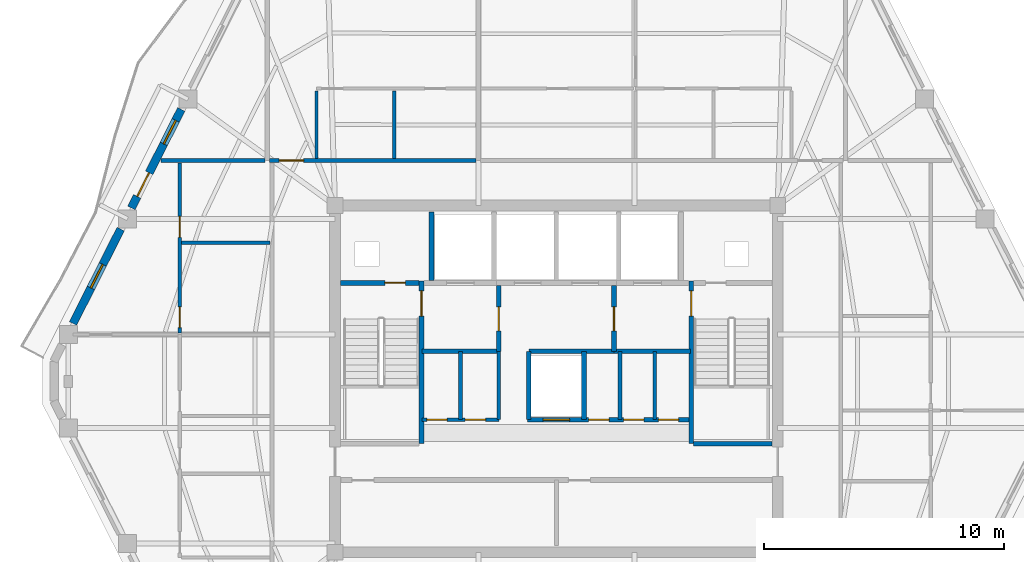
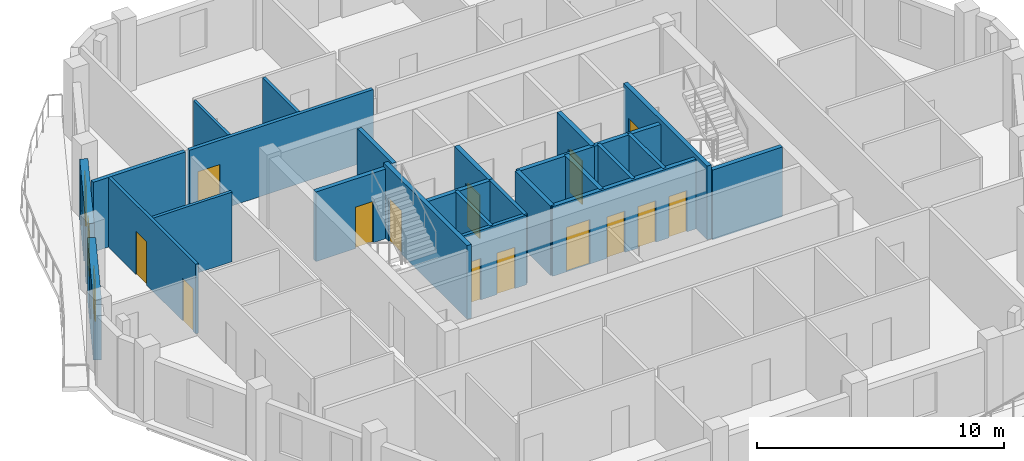
# One storey, part 5 of 11: 26 walls, 15 doors, 2 windows, 17 openings.
"""IFC4 building model written with IfcOpenShell, lengths in metres."""

from ifc_helpers import new_model, si_unit, direction, frame, frame_2d, origin, place, context, subcontext, project, spatial, rectangle, extrude, material, layer, layer_set, type_object, element, fill, save


model = new_model("IFC4")

# Units and contexts
model_context = context("Model", 3, precision=1e-05, world=origin(), true_north=direction((0.0, 1.0)))
body_context = subcontext(model_context, "Body", "Model", "MODEL_VIEW")
ifc_project = project(units=[si_unit("LENGTHUNIT", "METRE"), si_unit("AREAUNIT", "SQUARE_METRE"), si_unit("VOLUMEUNIT", "CUBIC_METRE"), si_unit("PLANEANGLEUNIT", "RADIAN"), si_unit("MASSUNIT", "GRAM", prefix="KILO")], contexts=[model_context])

# Site, building, storey
site_placement = place(None, origin())
site = spatial("IfcSite", under=ifc_project, at=site_placement, CompositionType="ELEMENT")
building_placement = place(site_placement, origin())
building = spatial("IfcBuilding", under=site, at=building_placement, Name="Cinnabar Lancet Tower", CompositionType="ELEMENT")
storey_placement = place(building_placement, frame((0.0, 0.0, 234.300048828125)))
storey = spatial("IfcBuildingStorey", under=building, at=storey_placement, Name="L62", CompositionType="ELEMENT", Elevation=234.300048828125)

# Wall, openings, doors
ifc_material_1 = material(Name="Acoustic twin-stud gypsum partition", Category="gypsum")
ifc_layer_1 = layer(ifc_material_1, 0.159912109375)
ifc_layer_set_1 = layer_set([ifc_layer_1], Name="Acoustic twin-stud gypsum partition")
wall_type_1 = type_object("IfcWallType", Name="ARC-WL-CORR-160", PredefinedType="PARTITIONING", material=ifc_layer_set_1)
wall_1_placement = place(storey_placement, frame((26.800048828125, 24.199951171875, 0.0), z_axis=(0.0, 0.0, 1.0), x_axis=(1.0, 0.0, 0.0)))
wall_1 = element("IfcWall", 1, at=wall_1_placement, inside=storey, type_object=wall_type_1, Name="CW-REC5S-L62", PredefinedType="PARTITIONING", context=body_context, shape_type="SweptSolid", body=[
    extrude(rectangle(XDim=3.199951171875, YDim=0.159912109375, at=frame_2d((1.60009765625, 0.0))), origin(), (0.0, 0.0, 1.0), 3.449951171875),
])
opening_1_placement = place(wall_1_placement, frame((0.199951171875, 0.0, 0.0)))
opening_1 = element("IfcOpeningElement", 2, at=opening_1_placement, cuts=wall_1, Name="Opening PD-02", PredefinedType="OPENING", context=body_context, shape_type="SweptSolid", body=[
    extrude(rectangle(XDim=0.85009765625, YDim=2.050048828125, at=frame_2d((0.425048828125, 1.02490234375))), frame((0.0, 0.08984375, 0.0), z_axis=(0.0, -1.0, 0.0), x_axis=(1.0, 0.0, 0.0)), (0.0, 0.0, 1.0), 0.179931640625),
])
opening_2_placement = place(wall_1_placement, frame((1.800048828125, 0.0, 0.0)))
opening_2 = element("IfcOpeningElement", 3, at=opening_2_placement, cuts=wall_1, Name="Opening PD-02", PredefinedType="OPENING", context=body_context, shape_type="SweptSolid", body=[
    extrude(rectangle(XDim=0.85009765625, YDim=2.050048828125, at=frame_2d((0.425048828125, 1.02490234375))), frame((0.0, 0.08984375, 0.0), z_axis=(0.0, -1.0, 0.0), x_axis=(1.0, 0.0, 0.0)), (0.0, 0.0, 1.0), 0.179931640625),
])
ifc_material_2 = material(Name="Fire-rated steel riser access door", Category="steel")
door_type_1 = type_object("IfcDoorType", Name="ARC-DR-RISER", OperationType="NOTDEFINED", PredefinedType="DOOR", material=ifc_material_2)
door_1_placement = place(opening_1_placement, origin())
door_1 = element("IfcDoor", 4, at=door_1_placement, inside=storey, type_object=door_type_1, Name="DR-L62-REC5A", OperationType="SINGLE_SWING_LEFT", OverallHeight=2.050048828125, OverallWidth=0.85009765625, PredefinedType="DOOR", context=body_context, shape_type="SweptSolid", body=[
    extrude(rectangle(XDim=0.85009765625, YDim=2.050048828125, at=frame_2d((0.425048828125, 1.02490234375))), frame((0.0, 0.02490234375, 0.0), z_axis=(0.0, -1.0, 0.0), x_axis=(1.0, 0.0, 0.0)), (0.0, 0.0, 1.0), 0.050048828125),
])
fill(opening_1, door_1)
door_2_placement = place(opening_2_placement, origin())
door_2 = element("IfcDoor", 5, at=door_2_placement, inside=storey, type_object=door_type_1, Name="DR-L62-REC5B", OperationType="SINGLE_SWING_RIGHT", OverallHeight=2.050048828125, OverallWidth=0.85009765625, PredefinedType="DOOR", context=body_context, shape_type="SweptSolid", body=[
    extrude(rectangle(XDim=0.85009765625, YDim=2.050048828125, at=frame_2d((0.425048828125, 1.02490234375))), frame((0.0, 0.02490234375, 0.0), z_axis=(0.0, -1.0, 0.0), x_axis=(1.0, 0.0, 0.0)), (0.0, 0.0, 1.0), 0.050048828125),
])
fill(opening_2, door_2)

# Walls
for number, where, z_axis, x_axis, name in (
    (6, (30.0, 24.199951171875, 0.0), (0.0, 0.0, 1.0), (0.0, 1.0, 0.0), "CW-REC5E-L62"),
    (7, (28.39990234375, 24.199951171875, 0.0), (0.0, 0.0, 1.0), (0.0, 1.0, 0.0), "CW-REC5D0-L62"),
    (8, (35.050048828125, 24.199951171875, 0.0), (0.0, 0.0, 1.0), (0.0, 1.0, 0.0), "CW-REC6D1-L62"),
    (9, (36.5, 24.199951171875, 0.0), (0.0, 0.0, 1.0), (0.0, 1.0, 0.0), "CW-REC6D2-L62"),
):
    element("IfcWall", number, at=place(storey_placement, frame(where, z_axis=z_axis, x_axis=x_axis)), inside=storey, type_object=wall_type_1, Name=name, PredefinedType="PARTITIONING", context=body_context, shape_type="SweptSolid", body=[
        extrude(rectangle(XDim=2.85009765625, YDim=0.159912109375, at=frame_2d((1.425048828125, 0.0))), origin(), (0.0, 0.0, 1.0), 3.449951171875),
    ])

# Wall, opening, door
wall_2_placement = place(storey_placement, frame((20.445068359375, 35.0, 0.0), z_axis=(0.0, 0.0, 1.0), x_axis=(1.0, 0.0, 0.0)))
wall_2 = element("IfcWall", 10, at=wall_2_placement, inside=storey, type_object=wall_type_1, Name="L62 Unit N01 Corridor Wall", PredefinedType="PARTITIONING", context=body_context, shape_type="SweptSolid", body=[
    extrude(rectangle(XDim=8.60595703125, YDim=0.159912109375, at=frame_2d((4.302978515625, 0.0))), origin(), (0.0, 0.0, 1.0), 3.449951171875),
])
opening_3_placement = place(wall_2_placement, frame((0.405029296875, 0.0, 0.0)))
opening_3 = element("IfcOpeningElement", 11, at=opening_3_placement, cuts=wall_2, Name="Opening UD-01", PredefinedType="OPENING", context=body_context, shape_type="SweptSolid", body=[
    extrude(rectangle(XDim=1.02001953125, YDim=2.25, at=frame_2d((0.510009765625, 1.125))), frame((0.0, 0.08984375, 0.0), z_axis=(0.0, -1.0, 0.0), x_axis=(1.0, 0.0, 0.0)), (0.0, 0.0, 1.0), 0.179931640625),
])
ifc_material_3 = material(Name="Solid timber fire-rated apartment entrance door", Category="wood")
door_type_2 = type_object("IfcDoorType", Name="ARC-DR-UNIT", OperationType="NOTDEFINED", PredefinedType="DOOR", material=ifc_material_3)
door_3_placement = place(opening_3_placement, origin())
door_3 = element("IfcDoor", 12, at=door_3_placement, inside=storey, type_object=door_type_2, Name="DR-L62-N01-ENT", OperationType="SINGLE_SWING_RIGHT", OverallHeight=2.25, OverallWidth=1.02001953125, PredefinedType="DOOR", context=body_context, shape_type="SweptSolid", body=[
    extrude(rectangle(XDim=1.02001953125, YDim=2.25, at=frame_2d((0.510009765625, 1.125))), frame((0.0, 0.02490234375, 0.0), z_axis=(0.0, -1.0, 0.0), x_axis=(1.0, 0.0, 0.0)), (0.0, 0.0, 1.0), 0.050048828125),
])
fill(opening_3, door_3)

# Walls
ifc_material_4 = material(Name="Fire-rated twin-frame acoustic drywall", Category="gypsum")
ifc_layer_2 = layer(ifc_material_4, 0.179931640625)
ifc_layer_set_2 = layer_set([ifc_layer_2], Name="Fire-rated twin-frame acoustic drywall")
wall_type_2 = type_object("IfcWallType", Name="ARC-WL-PARTY-180", PredefinedType="PARTITIONING", material=ifc_layer_set_2)
wall_3_placement = place(storey_placement, frame((15.93310546875, 35.0, 0.0), z_axis=(0.0, 0.0, 1.0), x_axis=(1.0, 0.0, 0.0)))
element("IfcWall", 13, at=wall_3_placement, inside=storey, type_object=wall_type_2, Name="PW-L62-WNB", PredefinedType="PARTITIONING", context=body_context, shape_type="SweptSolid", body=[
    extrude(rectangle(XDim=4.32177734375, YDim=0.179931640625, at=frame_2d((2.160888671875, 0.0))), origin(), (0.0, 0.0, 1.0), 3.449951171875),
])
ifc_material_5 = material(Name="Autoclaved aerated concrete blockwork", Category="masonry")
ifc_layer_3 = layer(ifc_material_5, 0.199951171875)
ifc_layer_set_3 = layer_set([ifc_layer_3], Name="Autoclaved aerated concrete blockwork")
wall_type_3 = type_object("IfcWallType", Name="ARC-WL-SHAFT-200", PredefinedType="PLUMBINGWALL", material=ifc_layer_set_3)
wall_4_placement = place(storey_placement, frame((38.125, 23.199951171875, 0.0), z_axis=(0.0, 0.0, 1.0), x_axis=(1.0, 0.0, 0.0)))
element("IfcWall", 14, at=wall_4_placement, inside=storey, type_object=wall_type_3, Name="CW-ST2S-L62", PredefinedType="PLUMBINGWALL", context=body_context, shape_type="SweptSolid", body=[
    extrude(rectangle(XDim=3.27001953125, YDim=0.199951171875, at=frame_2d((1.635009765625, 0.0))), origin(), (0.0, 0.0, 1.0), 3.449951171875),
])

# Wall, opening, door
wall_5_placement = place(storey_placement, frame((23.405029296875, 29.89990234375, 0.0), z_axis=(0.0, 0.0, 1.0), x_axis=(1.0, 0.0, 0.0)))
wall_5 = element("IfcWall", 15, at=wall_5_placement, inside=storey, type_object=wall_type_3, Name="CW-NSH-W-L62", PredefinedType="PLUMBINGWALL", context=body_context, shape_type="SweptSolid", body=[
    extrude(rectangle(XDim=3.27001953125, YDim=0.199951171875, at=frame_2d((1.635009765625, 0.0))), origin(), (0.0, 0.0, 1.0), 3.449951171875),
])
opening_4_placement = place(wall_5_placement, frame((1.85009765625, 0.0, 0.0)))
opening_4 = element("IfcOpeningElement", 16, at=opening_4_placement, cuts=wall_5, Name="Opening PD-02", PredefinedType="OPENING", context=body_context, shape_type="SweptSolid", body=[
    extrude(rectangle(XDim=0.85009765625, YDim=2.050048828125, at=frame_2d((0.425048828125, 1.02490234375))), frame((0.0, 0.10986328125, 0.0), z_axis=(0.0, -1.0, 0.0), x_axis=(1.0, 0.0, 0.0)), (0.0, 0.0, 1.0), 0.219970703125),
])
door_4_placement = place(opening_4_placement, origin())
door_4 = element("IfcDoor", 17, at=door_4_placement, inside=storey, type_object=door_type_1, Name="L62 West Riser Access Door", OperationType="SINGLE_SWING_LEFT", OverallHeight=2.050048828125, OverallWidth=0.85009765625, PredefinedType="DOOR", context=body_context, shape_type="SweptSolid", body=[
    extrude(rectangle(XDim=0.85009765625, YDim=2.050048828125, at=frame_2d((0.425048828125, 1.02490234375))), frame((0.0, 0.02490234375, 0.0), z_axis=(0.0, -1.0, 0.0), x_axis=(1.0, 0.0, 0.0)), (0.0, 0.0, 1.0), 0.050048828125),
])
fill(opening_4, door_4)

# Wall
wall_6_placement = place(storey_placement, frame((27.199951171875, 30.0, 0.0), z_axis=(0.0, 0.0, 1.0), x_axis=(0.0, 1.0, 0.0)))
element("IfcWall", 18, at=wall_6_placement, inside=storey, type_object=wall_type_3, Name="CW-NSH-D1-L62", PredefinedType="PLUMBINGWALL", context=body_context, shape_type="SweptSolid", body=[
    extrude(rectangle(XDim=2.85009765625, YDim=0.199951171875, at=frame_2d((1.425048828125, 0.0))), origin(), (0.0, 0.0, 1.0), 3.449951171875),
])

# Wall, opening, door
wall_7_placement = place(storey_placement, frame((30.0, 27.050048828125, 0.0), z_axis=(0.0, 0.0, 1.0), x_axis=(0.0, 1.0, 0.0)))
wall_7 = element("IfcWall", 19, at=wall_7_placement, inside=storey, type_object=wall_type_3, Name="CW-FF1E-L62", PredefinedType="PLUMBINGWALL", context=body_context, shape_type="SweptSolid", body=[
    extrude(rectangle(XDim=2.75, YDim=0.199951171875, at=frame_2d((1.375, 0.0))), origin(), (0.0, 0.0, 1.0), 3.449951171875),
])
opening_5_placement = place(wall_7_placement, frame((0.85009765625, 0.0, 0.0)))
opening_5 = element("IfcOpeningElement", 20, at=opening_5_placement, cuts=wall_7, Name="Opening FD-01", PredefinedType="OPENING", context=body_context, shape_type="SweptSolid", body=[
    extrude(rectangle(XDim=1.0, YDim=2.14990234375, at=frame_2d((0.5, 1.074951171875))), frame((0.0, 0.10986328125, 0.0), z_axis=(0.0, -1.0, 0.0), x_axis=(1.0, 0.0, 0.0)), (0.0, 0.0, 1.0), 0.219970703125),
])
ifc_material_6 = material(Name="Fire-rated timber-core lobby door", Category="wood")
door_type_3 = type_object("IfcDoorType", Name="ARC-DR-FFAL", OperationType="NOTDEFINED", PredefinedType="DOOR", material=ifc_material_6)
door_5_placement = place(opening_5_placement, origin())
door_5 = element("IfcDoor", 21, at=door_5_placement, inside=storey, type_object=door_type_3, Name="L62 FFAL-1 Lobby Fire Door", OperationType="SINGLE_SWING_RIGHT", OverallHeight=2.14990234375, OverallWidth=1.0, PredefinedType="DOOR", context=body_context, shape_type="SweptSolid", body=[
    extrude(rectangle(XDim=1.0, YDim=2.14990234375, at=frame_2d((0.5, 1.074951171875))), frame((0.0, 0.02490234375, 0.0), z_axis=(0.0, -1.0, 0.0), x_axis=(1.0, 0.0, 0.0)), (0.0, 0.0, 1.0), 0.050048828125),
])
fill(opening_5, door_5)

# Wall
wall_8_placement = place(storey_placement, frame((26.800048828125, 27.050048828125, 0.0), z_axis=(0.0, 0.0, 1.0), x_axis=(1.0, 0.0, 0.0)))
element("IfcWall", 22, at=wall_8_placement, inside=storey, type_object=wall_type_3, Name="CW-FF1S-L62", PredefinedType="PLUMBINGWALL", context=body_context, shape_type="SweptSolid", body=[
    extrude(rectangle(XDim=3.199951171875, YDim=0.199951171875, at=frame_2d((1.60009765625, 0.0))), origin(), (0.0, 0.0, 1.0), 3.449951171875),
])

# Wall, opening, door
wall_9_placement = place(storey_placement, frame((34.800048828125, 27.050048828125, 0.0), z_axis=(0.0, 0.0, 1.0), x_axis=(0.0, 1.0, 0.0)))
wall_9 = element("IfcWall", 23, at=wall_9_placement, inside=storey, type_object=wall_type_3, Name="CW-FF2W-L62", PredefinedType="PLUMBINGWALL", context=body_context, shape_type="SweptSolid", body=[
    extrude(rectangle(XDim=2.75, YDim=0.199951171875, at=frame_2d((1.375, 0.0))), origin(), (0.0, 0.0, 1.0), 3.449951171875),
])
opening_6_placement = place(wall_9_placement, frame((0.85009765625, 0.0, 0.0)))
opening_6 = element("IfcOpeningElement", 24, at=opening_6_placement, cuts=wall_9, Name="Opening FD-01", PredefinedType="OPENING", context=body_context, shape_type="SweptSolid", body=[
    extrude(rectangle(XDim=1.0, YDim=2.14990234375, at=frame_2d((0.5, 1.074951171875))), frame((0.0, 0.10986328125, 0.0), z_axis=(0.0, -1.0, 0.0), x_axis=(1.0, 0.0, 0.0)), (0.0, 0.0, 1.0), 0.219970703125),
])
door_6_placement = place(opening_6_placement, origin())
door_6 = element("IfcDoor", 25, at=door_6_placement, inside=storey, type_object=door_type_3, Name="L62 FFAL-2 Lobby Fire Door", OperationType="SINGLE_SWING_LEFT", OverallHeight=2.14990234375, OverallWidth=1.0, PredefinedType="DOOR", context=body_context, shape_type="SweptSolid", body=[
    extrude(rectangle(XDim=1.0, YDim=2.14990234375, at=frame_2d((0.5, 1.074951171875))), frame((0.0, 0.02490234375, 0.0), z_axis=(0.0, -1.0, 0.0), x_axis=(1.0, 0.0, 0.0)), (0.0, 0.0, 1.0), 0.050048828125),
])
fill(opening_6, door_6)

# Wall
wall_10_placement = place(storey_placement, frame((34.800048828125, 27.050048828125, 0.0), z_axis=(0.0, 0.0, 1.0), x_axis=(1.0, 0.0, 0.0)))
element("IfcWall", 26, at=wall_10_placement, inside=storey, type_object=wall_type_3, Name="CW-FF2S-L62", PredefinedType="PLUMBINGWALL", context=body_context, shape_type="SweptSolid", body=[
    extrude(rectangle(XDim=3.199951171875, YDim=0.199951171875, at=frame_2d((1.60009765625, 0.0))), origin(), (0.0, 0.0, 1.0), 3.449951171875),
])

# Wall, openings, doors
wall_11_placement = place(storey_placement, frame((31.199951171875, 24.199951171875, 0.0), z_axis=(0.0, 0.0, 1.0), x_axis=(1.0, 0.0, 0.0)))
wall_11 = element("IfcWall", 27, at=wall_11_placement, inside=storey, type_object=wall_type_3, Name="CW-PL96S-L62", PredefinedType="PLUMBINGWALL", context=body_context, shape_type="SweptSolid", body=[
    extrude(rectangle(XDim=6.800048828125, YDim=0.199951171875, at=frame_2d((3.39990234375, 0.0))), origin(), (0.0, 0.0, 1.0), 3.449951171875),
])
opening_7_placement = place(wall_11_placement, frame((0.64990234375, 0.0, 0.0)))
opening_7 = element("IfcOpeningElement", 28, at=opening_7_placement, cuts=wall_11, Name="Opening LD-01", PredefinedType="OPENING", context=body_context, shape_type="SweptSolid", body=[
    extrude(rectangle(XDim=1.10009765625, YDim=2.199951171875, at=frame_2d((0.550048828125, 1.10009765625))), frame((0.0, 0.10986328125, 0.0), z_axis=(0.0, -1.0, 0.0), x_axis=(1.0, 0.0, 0.0)), (0.0, 0.0, 1.0), 0.219970703125),
])
opening_8_placement = place(wall_11_placement, frame((2.550048828125, 0.0, 0.0)))
opening_8 = element("IfcOpeningElement", 29, at=opening_8_placement, cuts=wall_11, Name="Opening PD-02", PredefinedType="OPENING", context=body_context, shape_type="SweptSolid", body=[
    extrude(rectangle(XDim=0.85009765625, YDim=2.050048828125, at=frame_2d((0.425048828125, 1.02490234375))), frame((0.0, 0.10986328125, 0.0), z_axis=(0.0, -1.0, 0.0), x_axis=(1.0, 0.0, 0.0)), (0.0, 0.0, 1.0), 0.219970703125),
])
opening_9_placement = place(wall_11_placement, frame((4.0, 0.0, 0.0)))
opening_9 = element("IfcOpeningElement", 30, at=opening_9_placement, cuts=wall_11, Name="Opening PD-02", PredefinedType="OPENING", context=body_context, shape_type="SweptSolid", body=[
    extrude(rectangle(XDim=0.85009765625, YDim=2.050048828125, at=frame_2d((0.425048828125, 1.02490234375))), frame((0.0, 0.10986328125, 0.0), z_axis=(0.0, -1.0, 0.0), x_axis=(1.0, 0.0, 0.0)), (0.0, 0.0, 1.0), 0.219970703125),
])
opening_10_placement = place(wall_11_placement, frame((5.449951171875, 0.0, 0.0)))
opening_10 = element("IfcOpeningElement", 31, at=opening_10_placement, cuts=wall_11, Name="Opening PD-02", PredefinedType="OPENING", context=body_context, shape_type="SweptSolid", body=[
    extrude(rectangle(XDim=0.85009765625, YDim=2.050048828125, at=frame_2d((0.425048828125, 1.02490234375))), frame((0.0, 0.10986328125, 0.0), z_axis=(0.0, -1.0, 0.0), x_axis=(1.0, 0.0, 0.0)), (0.0, 0.0, 1.0), 0.219970703125),
])
ifc_material_7 = material(Name="Brushed stainless steel sliding lift door", Category="steel")
door_type_4 = type_object("IfcDoorType", Name="ARC-DR-LD-PASS", OperationType="NOTDEFINED", PredefinedType="DOOR", material=ifc_material_7)
door_7_placement = place(opening_7_placement, origin())
door_7 = element("IfcDoor", 32, at=door_7_placement, inside=storey, type_object=door_type_4, Name="L62 Lift PL-9 Landing Door", OperationType="DOUBLE_DOOR_SLIDING", OverallHeight=2.199951171875, OverallWidth=1.10009765625, PredefinedType="DOOR", context=body_context, shape_type="SweptSolid", body=[
    extrude(rectangle(XDim=1.10009765625, YDim=2.199951171875, at=frame_2d((0.550048828125, 1.10009765625))), frame((0.0, 0.02490234375, 0.0), z_axis=(0.0, -1.0, 0.0), x_axis=(1.0, 0.0, 0.0)), (0.0, 0.0, 1.0), 0.050048828125),
])
fill(opening_7, door_7)
door_8_placement = place(opening_8_placement, origin())
door_8 = element("IfcDoor", 33, at=door_8_placement, inside=storey, type_object=door_type_1, Name="DR-L62-REC6A", OperationType="SINGLE_SWING_LEFT", OverallHeight=2.050048828125, OverallWidth=0.85009765625, PredefinedType="DOOR", context=body_context, shape_type="SweptSolid", body=[
    extrude(rectangle(XDim=0.85009765625, YDim=2.050048828125, at=frame_2d((0.425048828125, 1.02490234375))), frame((0.0, 0.02490234375, 0.0), z_axis=(0.0, -1.0, 0.0), x_axis=(1.0, 0.0, 0.0)), (0.0, 0.0, 1.0), 0.050048828125),
])
fill(opening_8, door_8)
door_9_placement = place(opening_9_placement, origin())
door_9 = element("IfcDoor", 34, at=door_9_placement, inside=storey, type_object=door_type_1, Name="DR-L62-REC6B", OperationType="SINGLE_SWING_RIGHT", OverallHeight=2.050048828125, OverallWidth=0.85009765625, PredefinedType="DOOR", context=body_context, shape_type="SweptSolid", body=[
    extrude(rectangle(XDim=0.85009765625, YDim=2.050048828125, at=frame_2d((0.425048828125, 1.02490234375))), frame((0.0, 0.02490234375, 0.0), z_axis=(0.0, -1.0, 0.0), x_axis=(1.0, 0.0, 0.0)), (0.0, 0.0, 1.0), 0.050048828125),
])
fill(opening_9, door_9)
door_10_placement = place(opening_10_placement, origin())
door_10 = element("IfcDoor", 35, at=door_10_placement, inside=storey, type_object=door_type_1, Name="DR-L62-REC6C", OperationType="SINGLE_SWING_LEFT", OverallHeight=2.050048828125, OverallWidth=0.85009765625, PredefinedType="DOOR", context=body_context, shape_type="SweptSolid", body=[
    extrude(rectangle(XDim=0.85009765625, YDim=2.050048828125, at=frame_2d((0.425048828125, 1.02490234375))), frame((0.0, 0.02490234375, 0.0), z_axis=(0.0, -1.0, 0.0), x_axis=(1.0, 0.0, 0.0)), (0.0, 0.0, 1.0), 0.050048828125),
])
fill(opening_10, door_10)

# Walls
for number, where, z_axis, x_axis, name in (
    (36, (31.25, 24.199951171875, 0.0), (0.0, 0.0, 1.0), (0.0, 1.0, 0.0), "CW-PL9W-L62"),
    (37, (33.550048828125, 24.199951171875, 0.0), (0.0, 0.0, 1.0), (0.0, 1.0, 0.0), "CW-PL9E-L62"),
):
    element("IfcWall", number, at=place(storey_placement, frame(where, z_axis=z_axis, x_axis=x_axis)), inside=storey, type_object=wall_type_3, Name=name, PredefinedType="PLUMBINGWALL", context=body_context, shape_type="SweptSolid", body=[
        extrude(rectangle(XDim=2.85009765625, YDim=0.199951171875, at=frame_2d((1.425048828125, 0.0))), origin(), (0.0, 0.0, 1.0), 3.449951171875),
    ])
wall_12_placement = place(storey_placement, frame((31.25, 27.050048828125, 0.0), z_axis=(0.0, 0.0, 1.0), x_axis=(1.0, 0.0, 0.0)))
element("IfcWall", 38, at=wall_12_placement, inside=storey, type_object=wall_type_3, Name="CW-PL96N-L62", PredefinedType="PLUMBINGWALL", context=body_context, shape_type="SweptSolid", body=[
    extrude(rectangle(XDim=3.550048828125, YDim=0.199951171875, at=frame_2d((1.77490234375, 0.0))), origin(), (0.0, 0.0, 1.0), 3.449951171875),
])
ifc_material_8 = material(Name="Gypsum plasterboard stud partition", Category="gypsum")
ifc_layer_4 = layer(ifc_material_8, 0.125)
ifc_layer_set_4 = layer_set([ifc_layer_4], Name="Gypsum plasterboard stud partition")
wall_type_4 = type_object("IfcWallType", Name="ARC-WL-UNIT-125", PredefinedType="PARTITIONING", material=ifc_layer_set_4)
wall_13_placement = place(storey_placement, frame((22.39990234375, 35.0849609375, 0.0), z_axis=(0.0, 0.0, 1.0), x_axis=(0.0, 1.0, 0.0)))
element("IfcWall", 39, at=wall_13_placement, inside=storey, type_object=wall_type_4, Name="UW-L62-N01-FOYE", PredefinedType="PARTITIONING", context=body_context, shape_type="SweptSolid", body=[
    extrude(rectangle(XDim=2.81103515625, YDim=0.125, at=frame_2d((1.405517578125, 0.0))), origin(), (0.0, 0.0, 1.0), 3.449951171875),
])
ifc_material_9 = material(Name="Moisture-resistant cement-board plumbing wall", Category="masonry")
ifc_layer_5 = layer(ifc_material_9, 0.139892578125)
ifc_layer_set_5 = layer_set([ifc_layer_5], Name="Moisture-resistant cement-board plumbing wall")
wall_type_5 = type_object("IfcWallType", Name="ARC-WL-WET-140", PredefinedType="PLUMBINGWALL", material=ifc_layer_set_5)
wall_14_placement = place(storey_placement, frame((25.637939453125, 35.0849609375, 0.0), z_axis=(0.0, 0.0, 1.0), x_axis=(0.0, 1.0, 0.0)))
element("IfcWall", 40, at=wall_14_placement, inside=storey, type_object=wall_type_5, Name="UW-L62-N01-KDV", PredefinedType="PLUMBINGWALL", context=body_context, shape_type="SweptSolid", body=[
    extrude(rectangle(XDim=2.81103515625, YDim=0.139892578125, at=frame_2d((1.405517578125, 0.0))), origin(), (0.0, 0.0, 1.0), 3.449951171875),
])

# Wall, openings, doors
wall_15_placement = place(storey_placement, frame((16.699951171875, 27.81591796875, 0.0), z_axis=(0.0, 0.0, 1.0), x_axis=(0.0, 1.0, 0.0)))
wall_15 = element("IfcWall", 41, at=wall_15_placement, inside=storey, type_object=wall_type_5, Name="UW-L62-W01-SPM", PredefinedType="PLUMBINGWALL", context=body_context, shape_type="SweptSolid", body=[
    extrude(rectangle(XDim=7.089111328125, YDim=0.139892578125, at=frame_2d((3.54443359375, 0.0))), origin(), (0.0, 0.0, 1.0), 3.449951171875),
])
opening_11_placement = place(wall_15_placement, frame((0.219970703125, 0.0, 0.0)))
opening_11 = element("IfcOpeningElement", 42, at=opening_11_placement, cuts=wall_15, Name="Opening BD-01", PredefinedType="OPENING", context=body_context, shape_type="SweptSolid", body=[
    extrude(rectangle(XDim=0.860107421875, YDim=2.10009765625, at=frame_2d((0.43017578125, 1.050048828125))), frame((0.0, 0.079833984375, 0.0), z_axis=(0.0, -1.0, 0.0), x_axis=(1.0, 0.0, 0.0)), (0.0, 0.0, 1.0), 0.159912109375),
])
opening_12_placement = place(wall_15_placement, frame((3.97998046875, 0.0, 0.0)))
opening_12 = element("IfcOpeningElement", 43, at=opening_12_placement, cuts=wall_15, Name="Opening RD-02", PredefinedType="OPENING", context=body_context, shape_type="SweptSolid", body=[
    extrude(rectangle(XDim=0.8798828125, YDim=2.14990234375, at=frame_2d((0.43994140625, 1.074951171875))), frame((0.0, 0.079833984375, 0.0), z_axis=(0.0, -1.0, 0.0), x_axis=(1.0, 0.0, 0.0)), (0.0, 0.0, 1.0), 0.159912109375),
])
ifc_material_10 = material(Name="Moisture-resistant timber bathroom door", Category="wood")
door_type_5 = type_object("IfcDoorType", Name="ARC-DR-BATH", OperationType="NOTDEFINED", PredefinedType="DOOR", material=ifc_material_10)
door_11_placement = place(opening_11_placement, origin())
door_11 = element("IfcDoor", 44, at=door_11_placement, inside=storey, type_object=door_type_5, Name="DR-L62-W01-ENS", OperationType="SINGLE_SWING_LEFT", OverallHeight=2.10009765625, OverallWidth=0.860107421875, PredefinedType="DOOR", context=body_context, shape_type="SweptSolid", body=[
    extrude(rectangle(XDim=0.860107421875, YDim=2.10009765625, at=frame_2d((0.43017578125, 1.050048828125))), frame((0.0, 0.02490234375, 0.0), z_axis=(0.0, -1.0, 0.0), x_axis=(1.0, 0.0, 0.0)), (0.0, 0.0, 1.0), 0.050048828125),
])
fill(opening_11, door_11)
ifc_material_11 = material(Name="Engineered timber study door", Category="wood")
door_type_6 = type_object("IfcDoorType", Name="ARC-DR-STUDY", OperationType="NOTDEFINED", PredefinedType="DOOR", material=ifc_material_11)
door_12_placement = place(opening_12_placement, origin())
door_12 = element("IfcDoor", 45, at=door_12_placement, inside=storey, type_object=door_type_6, Name="DR-L62-W01-EWDR", OperationType="SINGLE_SWING_RIGHT", OverallHeight=2.14990234375, OverallWidth=0.8798828125, PredefinedType="DOOR", context=body_context, shape_type="SweptSolid", body=[
    extrude(rectangle(XDim=0.8798828125, YDim=2.14990234375, at=frame_2d((0.43994140625, 1.074951171875))), frame((0.0, 0.02490234375, 0.0), z_axis=(0.0, -1.0, 0.0), x_axis=(1.0, 0.0, 0.0)), (0.0, 0.0, 1.0), 0.050048828125),
])
fill(opening_12, door_12)

# Wall
wall_16_placement = place(storey_placement, frame((16.784912109375, 31.575927734375, 0.0), z_axis=(0.0, 0.0, 1.0), x_axis=(1.0, 0.0, 0.0)))
element("IfcWall", 46, at=wall_16_placement, inside=storey, type_object=wall_type_5, Name="UW-L62-W01-EWDV", PredefinedType="PLUMBINGWALL", context=body_context, shape_type="SweptSolid", body=[
    extrude(rectangle(XDim=3.68017578125, YDim=0.139892578125, at=frame_2d((1.840087890625, 0.0))), origin(), (0.0, 0.0, 1.0), 3.449951171875),
])

# Wall, openings, door, window
ifc_material_12 = material(Name="Cinnabar red clay brick", Category="masonry")
ifc_layer_6 = layer(ifc_material_12, 0.340087890625)
ifc_layer_set_6 = layer_set([ifc_layer_6], Name="Cinnabar red clay brick")
wall_type_6 = type_object("IfcWallType", Name="ENV-WL-BRK-RED-340", PredefinedType="STANDARD", material=ifc_layer_set_6)
wall_17_placement = place(storey_placement, frame((16.76806640625, 37.126953125, 0.0), z_axis=(0.0, 0.0, 1.0), x_axis=(-0.451581819983, -0.892229712496, 0.0)))
wall_17 = element("IfcWall", 47, at=wall_17_placement, inside=storey, type_object=wall_type_6, Name="L62 Face 5 Masonry Bay Wall 3", PredefinedType="STANDARD", context=body_context, shape_type="SweptSolid", body=[
    extrude(rectangle(XDim=4.599609375, YDim=0.340087890625, at=frame_2d((2.2998046875, 0.0))), origin(), (0.0, 0.0, 1.0), 2.98291015625),
])
opening_13_placement = place(wall_17_placement, frame((2.9580078125, 0.0, 0.0)))
opening_13 = element("IfcOpeningElement", 48, at=opening_13_placement, cuts=wall_17, Name="Opening TD-01", PredefinedType="OPENING", context=body_context, shape_type="SweptSolid", body=[
    extrude(rectangle(XDim=1.10009765625, YDim=2.25, at=frame_2d((0.550048828125, 1.125))), frame((0.0, 0.179931640625, 0.0), z_axis=(0.0, -1.0, 0.0), x_axis=(1.0, 0.0, 0.0)), (0.0, 0.0, 1.0), 0.360107421875),
])
opening_14_placement = place(wall_17_placement, frame((0.511962890625, 0.0, 0.75)))
opening_14 = element("IfcOpeningElement", 49, at=opening_14_placement, cuts=wall_17, Name="Opening WN-04", PredefinedType="OPENING", context=body_context, shape_type="SweptSolid", body=[
    extrude(rectangle(XDim=1.10009765625, YDim=2.0, at=frame_2d((0.550048828125, 1.0))), frame((0.0, 0.179931640625, 0.0), z_axis=(0.0, -1.0, 0.0), x_axis=(1.0, 0.0, 0.0)), (0.0, 0.0, 1.0), 0.360107421875),
])
ifc_material_13 = material(Name="Thermally broken low-E glazed balcony terrace door", Category="wood")
door_type_7 = type_object("IfcDoorType", Name="ARC-DR-BALC", OperationType="NOTDEFINED", PredefinedType="DOOR", material=ifc_material_13)
door_13_placement = place(opening_13_placement, origin())
door_13 = element("IfcDoor", 50, at=door_13_placement, inside=storey, type_object=door_type_7, Name="L62 Face 5 Glazed Terrace Door", OperationType="SINGLE_SWING_LEFT", OverallHeight=2.25, OverallWidth=1.10009765625, PredefinedType="DOOR", context=body_context, shape_type="SweptSolid", body=[
    extrude(rectangle(XDim=1.10009765625, YDim=2.25, at=frame_2d((0.550048828125, 1.125))), frame((0.0, 0.02490234375, 0.0), z_axis=(0.0, -1.0, 0.0), x_axis=(1.0, 0.0, 0.0)), (0.0, 0.0, 1.0), 0.050048828125),
])
fill(opening_13, door_13)
ifc_material_14 = material(Name="Thermally broken bronze-anodized aluminium tall lancet window", Category="aluminium")
window_type = type_object("IfcWindowType", Name="ENV-WN-LANCET-1100", PartitioningType="SINGLE_PANEL", PredefinedType="WINDOW", material=ifc_material_14)
window_1_placement = place(opening_14_placement, origin())
window_1 = element("IfcWindow", 51, at=window_1_placement, inside=storey, type_object=window_type, Name="L62 Split-Bay Gothic Lancet Window 217", OverallHeight=2.0, OverallWidth=1.10009765625, PartitioningType="SINGLE_PANEL", PredefinedType="WINDOW", context=body_context, shape_type="SweptSolid", body=[
    extrude(rectangle(XDim=1.10009765625, YDim=2.0, at=frame_2d((0.550048828125, 1.0))), frame((0.0, 0.030029296875, 0.0), z_axis=(0.0, -1.0, 0.0), x_axis=(1.0, 0.0, 0.0)), (0.0, 0.0, 1.0), 0.06005859375),
])
fill(opening_14, window_1)

# Wall, opening, window
wall_18_placement = place(storey_placement, frame((14.24609375, 32.14404296875, 0.0), z_axis=(0.0, 0.0, 1.0), x_axis=(-0.451285866323, -0.892379441077, 0.0)))
wall_18 = element("IfcWall", 52, at=wall_18_placement, inside=storey, type_object=wall_type_6, Name="L62 Face 5 Masonry Bay Wall 4", PredefinedType="STANDARD", context=body_context, shape_type="SweptSolid", body=[
    extrude(rectangle(XDim=4.407470703125, YDim=0.340087890625, at=frame_2d((2.20361328125, 0.0))), origin(), (0.0, 0.0, 1.0), 2.98291015625),
])
opening_15_placement = place(wall_18_placement, frame((1.654052734375, 0.0, 0.75)))
opening_15 = element("IfcOpeningElement", 53, at=opening_15_placement, cuts=wall_18, Name="Opening WN-04", PredefinedType="OPENING", context=body_context, shape_type="SweptSolid", body=[
    extrude(rectangle(XDim=1.10009765625, YDim=2.0, at=frame_2d((0.550048828125, 1.0))), frame((0.0, 0.179931640625, 0.0), z_axis=(0.0, -1.0, 0.0), x_axis=(1.0, 0.0, 0.0)), (0.0, 0.0, 1.0), 0.360107421875),
])
window_2_placement = place(opening_15_placement, origin())
window_2 = element("IfcWindow", 54, at=window_2_placement, inside=storey, type_object=window_type, Name="L62 Face 5 Gothic Lancet Window 4", OverallHeight=2.0, OverallWidth=1.10009765625, PartitioningType="SINGLE_PANEL", PredefinedType="WINDOW", context=body_context, shape_type="SweptSolid", body=[
    extrude(rectangle(XDim=1.10009765625, YDim=2.0, at=frame_2d((0.550048828125, 1.0))), frame((0.0, 0.030029296875, 0.0), z_axis=(0.0, -1.0, 0.0), x_axis=(1.0, 0.0, 0.0)), (0.0, 0.0, 1.0), 0.06005859375),
])
fill(opening_15, window_2)

# Wall, opening, door
ifc_material_15 = material(Name="Concrete C50/60", Category="concrete")
ifc_layer_7 = layer(ifc_material_15, 0.199951171875)
ifc_layer_set_7 = layer_set([ifc_layer_7], Name="Concrete C50/60")
wall_type_7 = type_object("IfcWallType", Name="STR-WL-STAIR-200", PredefinedType="SHEAR", material=ifc_layer_set_7)
wall_19_placement = place(storey_placement, frame((26.780029296875, 23.199951171875, 0.0), z_axis=(0.0, 0.0, 1.0), x_axis=(0.0, 1.0, 0.0)))
wall_19 = element("IfcWall", 55, at=wall_19_placement, inside=storey, type_object=wall_type_7, Name="L62 Stair ST-1 Structural Enclosure Wall", PredefinedType="SHEAR", context=body_context, shape_type="SweptSolid", body=[
    extrude(rectangle(XDim=6.780029296875, YDim=0.199951171875, at=frame_2d((3.39013671875, 0.0))), origin(), (0.0, 0.0, 1.0), 3.64990234375),
])
opening_16_placement = place(wall_19_placement, frame((5.320068359375, 0.0, 0.0)))
opening_16 = element("IfcOpeningElement", 56, at=opening_16_placement, cuts=wall_19, Name="Opening SD-01", PredefinedType="OPENING", context=body_context, shape_type="SweptSolid", body=[
    extrude(rectangle(XDim=1.050048828125, YDim=2.14990234375, at=frame_2d((0.52490234375, 1.074951171875))), frame((0.0, 0.10986328125, 0.0), z_axis=(0.0, -1.0, 0.0), x_axis=(1.0, 0.0, 0.0)), (0.0, 0.0, 1.0), 0.219970703125),
])
ifc_material_16 = material(Name="Fire-rated steel stair exit door", Category="steel")
door_type_8 = type_object("IfcDoorType", Name="ARC-DR-STAIR", OperationType="NOTDEFINED", PredefinedType="DOOR", material=ifc_material_16)
door_14_placement = place(opening_16_placement, origin())
door_14 = element("IfcDoor", 57, at=door_14_placement, inside=storey, type_object=door_type_8, Name="L62 Stair ST-1 Fire Door", OperationType="SINGLE_SWING_LEFT", OverallHeight=2.14990234375, OverallWidth=1.050048828125, PredefinedType="DOOR", context=body_context, shape_type="SweptSolid", body=[
    extrude(rectangle(XDim=1.050048828125, YDim=2.14990234375, at=frame_2d((0.52490234375, 1.074951171875))), frame((0.0, 0.02490234375, 0.0), z_axis=(0.0, -1.0, 0.0), x_axis=(1.0, 0.0, 0.0)), (0.0, 0.0, 1.0), 0.050048828125),
])
fill(opening_16, door_14)

wall_20_placement = place(storey_placement, frame((38.02001953125, 23.199951171875, 0.0), z_axis=(0.0, 0.0, 1.0), x_axis=(0.0, 1.0, 0.0)))
wall_20 = element("IfcWall", 58, at=wall_20_placement, inside=storey, type_object=wall_type_7, Name="L62 Stair ST-2 Structural Enclosure Wall", PredefinedType="SHEAR", context=body_context, shape_type="SweptSolid", body=[
    extrude(rectangle(XDim=6.780029296875, YDim=0.199951171875, at=frame_2d((3.39013671875, 0.0))), origin(), (0.0, 0.0, 1.0), 3.64990234375),
])
opening_17_placement = place(wall_20_placement, frame((5.320068359375, 0.0, 0.0)))
opening_17 = element("IfcOpeningElement", 59, at=opening_17_placement, cuts=wall_20, Name="Opening SD-01", PredefinedType="OPENING", context=body_context, shape_type="SweptSolid", body=[
    extrude(rectangle(XDim=1.050048828125, YDim=2.14990234375, at=frame_2d((0.52490234375, 1.074951171875))), frame((0.0, 0.10986328125, 0.0), z_axis=(0.0, -1.0, 0.0), x_axis=(1.0, 0.0, 0.0)), (0.0, 0.0, 1.0), 0.219970703125),
])
door_15_placement = place(opening_17_placement, origin())
door_15 = element("IfcDoor", 60, at=door_15_placement, inside=storey, type_object=door_type_8, Name="L62 Stair ST-2 Fire Door", OperationType="SINGLE_SWING_RIGHT", OverallHeight=2.14990234375, OverallWidth=1.050048828125, PredefinedType="DOOR", context=body_context, shape_type="SweptSolid", body=[
    extrude(rectangle(XDim=1.050048828125, YDim=2.14990234375, at=frame_2d((0.52490234375, 1.074951171875))), frame((0.0, 0.02490234375, 0.0), z_axis=(0.0, -1.0, 0.0), x_axis=(1.0, 0.0, 0.0)), (0.0, 0.0, 1.0), 0.050048828125),
])
fill(opening_17, door_15)

save(model, "model.ifc")
